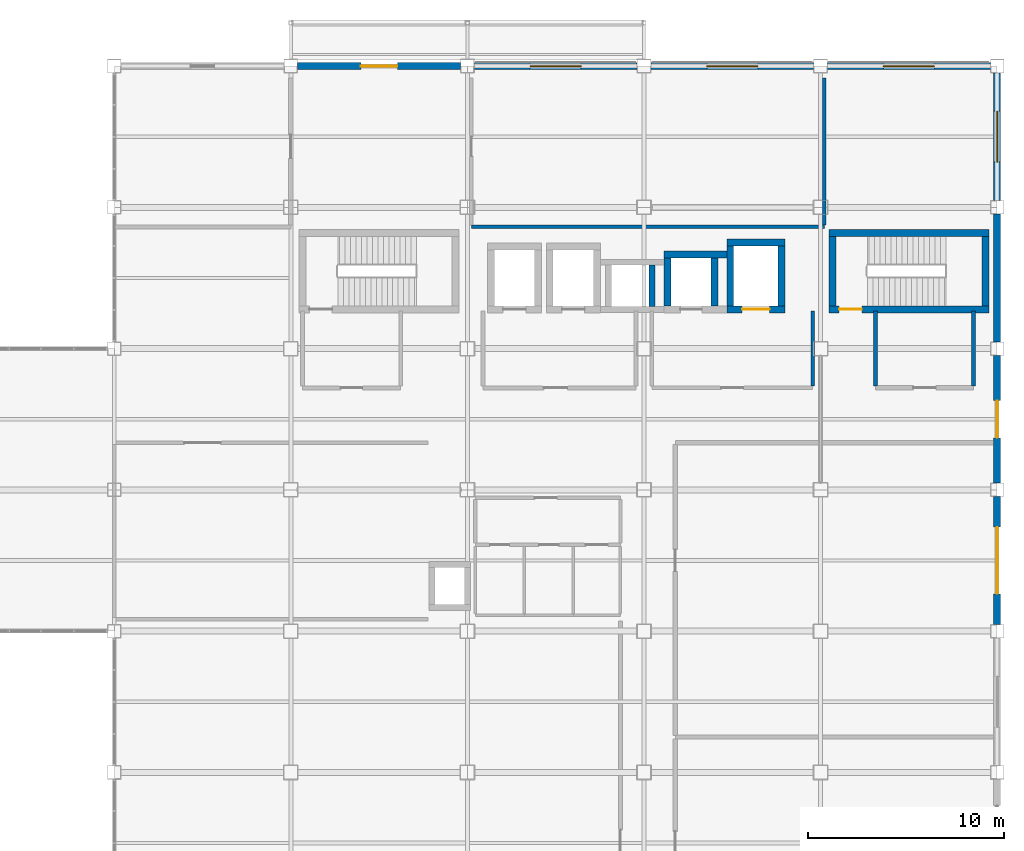
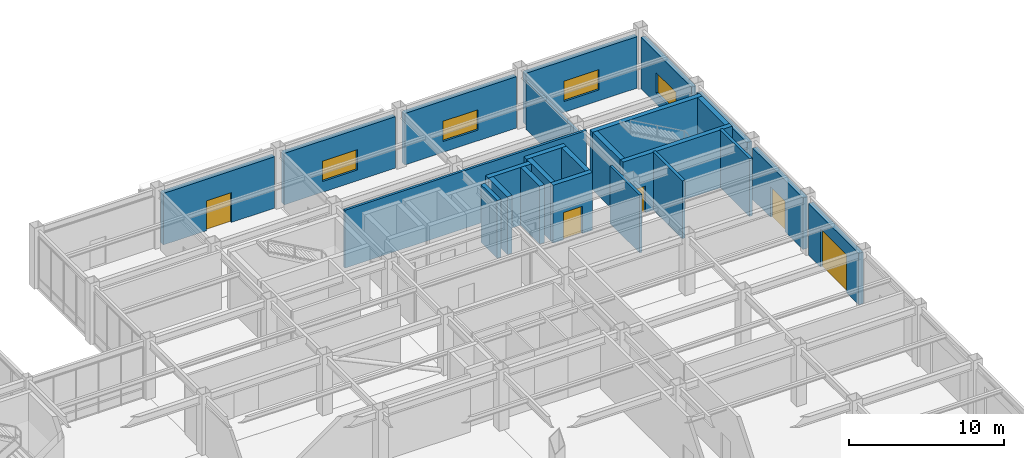
# One storey, part 95 of 112: 25 walls, 5 doors, 4 windows, 9 openings.
"""IFC4 building model written with IfcOpenShell, lengths in metres."""

from ifc_helpers import new_model, si_unit, direction, frame, frame_2d, origin, place, context, subcontext, project, spatial, rectangle, extrude, material, layer, layer_set, type_object, element, fill, save


model = new_model("IFC4")

# Units and contexts
model_context = context("Model", 3, precision=1e-05, world=origin(), true_north=direction((0.0, 1.0)))
body_context = subcontext(model_context, "Body", "Model", "MODEL_VIEW")
ifc_project = project(units=[si_unit("LENGTHUNIT", "METRE"), si_unit("AREAUNIT", "SQUARE_METRE"), si_unit("VOLUMEUNIT", "CUBIC_METRE"), si_unit("PLANEANGLEUNIT", "RADIAN"), si_unit("MASSUNIT", "GRAM", prefix="KILO")], contexts=[model_context])

# Site, building, storey
site_placement = place(None, origin())
site = spatial("IfcSite", under=ifc_project, at=site_placement, CompositionType="ELEMENT")
building_placement = place(site_placement, origin())
building = spatial("IfcBuilding", under=site, at=building_placement, Name="Kazanami Central Library", CompositionType="ELEMENT")
storey_placement = place(building_placement, origin())
storey = spatial("IfcBuildingStorey", under=building, at=storey_placement, Name="L01", CompositionType="ELEMENT", Elevation=0.0)

# Wall, opening, door
ifc_material_1 = material(Name="Concrete Fc36 (36 MPa)", Category="concrete")
ifc_layer_1 = layer(ifc_material_1, 0.27001953125, Name="Concrete Fc36 (36 MPa)")
ifc_material_2 = material(Name="Extruded Polystyrene XPS", Category="earth")
ifc_layer_2 = layer(ifc_material_2, 0.050048828125, Name="Extruded Polystyrene XPS")
ifc_material_3 = material(Name="Honed Inada Granite", Category="masonry")
ifc_layer_3 = layer(ifc_material_3, 0.030029296875, Name="Honed Inada Granite")
ifc_layer_set_1 = layer_set([ifc_layer_1, ifc_layer_2, ifc_layer_3], Name="Concrete Fc36 (36 MPa)")
wall_type_1 = type_object("IfcWallType", Name="WAL-EW-350", PredefinedType="STANDARD", material=ifc_layer_set_1)
wall_1_placement = place(storey_placement, frame((134.64990234375, 93.60009765625, 0.0), z_axis=(0.0, 0.0, 1.0), x_axis=(-1.0, 0.0, 0.0)))
wall_1 = element("IfcWall", 1, at=wall_1_placement, inside=storey, type_object=wall_type_1, Name="Exterior Facade Wall EW-350 L01 N-O-14", PredefinedType="STANDARD", context=body_context, shape_type="SweptSolid", body=[
    extrude(rectangle(XDim=8.2998046875, YDim=0.35009765625, at=frame_2d((4.14990234375, 0.0))), origin(), (0.0, 0.0, 1.0), 4.054931640625),
])
opening_1_placement = place(wall_1_placement, frame((3.22509765625, 0.0, 0.0)))
opening_1 = element("IfcOpeningElement", 2, at=opening_1_placement, cuts=wall_1, Name="Opening ED-07", PredefinedType="OPENING", context=body_context, shape_type="SweptSolid", body=[
    extrude(rectangle(XDim=1.85009765625, YDim=2.35009765625, at=frame_2d((0.925048828125, 1.175048828125))), frame((0.0, 0.18701171875, 0.0), z_axis=(0.0, -1.0, 0.0), x_axis=(1.0, 0.0, 0.0)), (0.0, 0.0, 1.0), 0.3740234375),
])
ifc_material_4 = material(Name="Anodised Aluminium A6063-T5", Category="aluminium")
door_type_1 = type_object("IfcDoorType", Name="DOR-ED-07", OperationType="DOUBLE_DOOR_SINGLE_SWING", PredefinedType="DOOR", material=ifc_material_4)
door_1_placement = place(opening_1_placement, frame((1.85009765625, 0.0, 0.0), z_axis=(0.0, 0.0, 1.0), x_axis=(-1.0, 0.0, 0.0)))
door_1 = element("IfcDoor", 3, at=door_1_placement, inside=storey, type_object=door_type_1, Name="Main Pedestrian Exit Door 15", OperationType="DOUBLE_DOOR_SINGLE_SWING", OverallHeight=2.35009765625, OverallWidth=1.85009765625, PredefinedType="DOOR", context=body_context, shape_type="SweptSolid", body=[
    extrude(rectangle(XDim=1.85009765625, YDim=2.35009765625, at=frame_2d((0.925048828125, 1.175048828125))), frame((0.0, 0.02490234375, 0.0), z_axis=(0.0, -1.0, 0.0), x_axis=(1.0, 0.0, 0.0)), (0.0, 0.0, 1.0), 0.050048828125),
])
fill(opening_1, door_1)

# Wall, opening, window
wall_2_placement = place(storey_placement, frame((143.64990234375, 93.60009765625, 0.0), z_axis=(0.0, 0.0, 1.0), x_axis=(-1.0, 0.0, 0.0)))
wall_2 = element("IfcWall", 4, at=wall_2_placement, inside=storey, type_object=wall_type_1, Name="Exterior Facade Wall EW-350 L01 N-O-15", PredefinedType="STANDARD", context=body_context, shape_type="SweptSolid", body=[
    extrude(rectangle(XDim=8.2998046875, YDim=0.35009765625, at=frame_2d((4.14990234375, 0.0))), origin(), (0.0, 0.0, 1.0), 4.054931640625),
])
opening_2_placement = place(wall_2_placement, frame((2.85009765625, 0.0, 0.85009765625)))
opening_2 = element("IfcOpeningElement", 5, at=opening_2_placement, cuts=wall_2, Name="Opening WN-13", PredefinedType="OPENING", context=body_context, shape_type="SweptSolid", body=[
    extrude(rectangle(XDim=2.60009765625, YDim=1.60009765625, at=frame_2d((1.300048828125, 0.800048828125))), frame((0.0, 0.18701171875, 0.0), z_axis=(0.0, -1.0, 0.0), x_axis=(1.0, 0.0, 0.0)), (0.0, 0.0, 1.0), 0.3740234375),
])
ifc_material_5 = material(Name="Low-E Insulated Triple Glass", Category="glass")
window_type = type_object("IfcWindowType", Name="WIN-WN-13", PartitioningType="DOUBLE_PANEL_VERTICAL", PredefinedType="WINDOW", material=ifc_material_5)
window_1_placement = place(opening_2_placement, origin())
window_1 = element("IfcWindow", 6, at=window_1_placement, inside=storey, type_object=window_type, Name="Facade Window WN-13 L01 N-O-15", OverallHeight=1.60009765625, OverallWidth=2.60009765625, PartitioningType="DOUBLE_PANEL_VERTICAL", PredefinedType="WINDOW", context=body_context, shape_type="SweptSolid", body=[
    extrude(rectangle(XDim=2.60009765625, YDim=1.60009765625, at=frame_2d((1.300048828125, 0.800048828125))), frame((0.0, 0.030029296875, 0.0), z_axis=(0.0, -1.0, 0.0), x_axis=(1.0, 0.0, 0.0)), (0.0, 0.0, 1.0), 0.06005859375),
])
fill(opening_2, window_1)

wall_3_placement = place(storey_placement, frame((152.64990234375, 93.60009765625, 0.0), z_axis=(0.0, 0.0, 1.0), x_axis=(-1.0, 0.0, 0.0)))
wall_3 = element("IfcWall", 7, at=wall_3_placement, inside=storey, type_object=wall_type_1, Name="Exterior Facade Wall EW-350 L01 N-O-16", PredefinedType="STANDARD", context=body_context, shape_type="SweptSolid", body=[
    extrude(rectangle(XDim=8.2998046875, YDim=0.35009765625, at=frame_2d((4.14990234375, 0.0))), origin(), (0.0, 0.0, 1.0), 4.054931640625),
])
opening_3_placement = place(wall_3_placement, frame((2.85009765625, 0.0, 0.85009765625)))
opening_3 = element("IfcOpeningElement", 8, at=opening_3_placement, cuts=wall_3, Name="Opening WN-13", PredefinedType="OPENING", context=body_context, shape_type="SweptSolid", body=[
    extrude(rectangle(XDim=2.60009765625, YDim=1.60009765625, at=frame_2d((1.300048828125, 0.800048828125))), frame((0.0, 0.18701171875, 0.0), z_axis=(0.0, -1.0, 0.0), x_axis=(1.0, 0.0, 0.0)), (0.0, 0.0, 1.0), 0.3740234375),
])
window_2_placement = place(opening_3_placement, origin())
window_2 = element("IfcWindow", 9, at=window_2_placement, inside=storey, type_object=window_type, Name="Facade Window WN-13 L01 N-O-16", OverallHeight=1.60009765625, OverallWidth=2.60009765625, PartitioningType="DOUBLE_PANEL_VERTICAL", PredefinedType="WINDOW", context=body_context, shape_type="SweptSolid", body=[
    extrude(rectangle(XDim=2.60009765625, YDim=1.60009765625, at=frame_2d((1.300048828125, 0.800048828125))), frame((0.0, 0.030029296875, 0.0), z_axis=(0.0, -1.0, 0.0), x_axis=(1.0, 0.0, 0.0)), (0.0, 0.0, 1.0), 0.06005859375),
])
fill(opening_3, window_2)

wall_4_placement = place(storey_placement, frame((161.64990234375, 93.60009765625, 0.0), z_axis=(0.0, 0.0, 1.0), x_axis=(-1.0, 0.0, 0.0)))
wall_4 = element("IfcWall", 10, at=wall_4_placement, inside=storey, type_object=wall_type_1, Name="Exterior Facade Wall EW-350 L01 N-O-17", PredefinedType="STANDARD", context=body_context, shape_type="SweptSolid", body=[
    extrude(rectangle(XDim=8.2998046875, YDim=0.35009765625, at=frame_2d((4.14990234375, 0.0))), origin(), (0.0, 0.0, 1.0), 4.054931640625),
])
opening_4_placement = place(wall_4_placement, frame((2.85009765625, 0.0, 0.85009765625)))
opening_4 = element("IfcOpeningElement", 11, at=opening_4_placement, cuts=wall_4, Name="Opening WN-13", PredefinedType="OPENING", context=body_context, shape_type="SweptSolid", body=[
    extrude(rectangle(XDim=2.60009765625, YDim=1.60009765625, at=frame_2d((1.300048828125, 0.800048828125))), frame((0.0, 0.18701171875, 0.0), z_axis=(0.0, -1.0, 0.0), x_axis=(1.0, 0.0, 0.0)), (0.0, 0.0, 1.0), 0.3740234375),
])
window_3_placement = place(opening_4_placement, origin())
window_3 = element("IfcWindow", 12, at=window_3_placement, inside=storey, type_object=window_type, Name="Facade Window WN-13 L01 N-O-17", OverallHeight=1.60009765625, OverallWidth=2.60009765625, PartitioningType="DOUBLE_PANEL_VERTICAL", PredefinedType="WINDOW", context=body_context, shape_type="SweptSolid", body=[
    extrude(rectangle(XDim=2.60009765625, YDim=1.60009765625, at=frame_2d((1.300048828125, 0.800048828125))), frame((0.0, 0.030029296875, 0.0), z_axis=(0.0, -1.0, 0.0), x_axis=(1.0, 0.0, 0.0)), (0.0, 0.0, 1.0), 0.06005859375),
])
fill(opening_4, window_3)

# Wall, opening, door
wall_5_placement = place(storey_placement, frame((162.0, 71.64990234375, 0.0), z_axis=(0.0, 0.0, 1.0), x_axis=(0.0, -1.0, 0.0)))
wall_5 = element("IfcWall", 13, at=wall_5_placement, inside=storey, type_object=wall_type_1, Name="Exterior Facade Wall EW-350 L01 E-19-09", PredefinedType="STANDARD", context=body_context, shape_type="SweptSolid", body=[
    extrude(rectangle(XDim=6.5, YDim=0.35009765625, at=frame_2d((3.25, 0.0))), origin(), (0.0, 0.0, 1.0), 4.054931640625),
])
opening_5_placement = place(wall_5_placement, frame((1.550048828125, 0.0, 0.0)))
opening_5 = element("IfcOpeningElement", 14, at=opening_5_placement, cuts=wall_5, Name="Opening SH-03", PredefinedType="OPENING", context=body_context, shape_type="SweptSolid", body=[
    extrude(rectangle(XDim=3.39990234375, YDim=3.0, at=frame_2d((1.699951171875, 1.5))), frame((0.0, 0.18701171875, 0.0), z_axis=(0.0, -1.0, 0.0), x_axis=(1.0, 0.0, 0.0)), (0.0, 0.0, 1.0), 0.3740234375),
])
ifc_material_6 = material(Name="Galvanised Steel SGHC", Category="steel")
door_type_2 = type_object("IfcDoorType", Name="DOR-SH-03", OperationType="ROLLINGUP", PredefinedType="GATE", material=ifc_material_6)
door_2_placement = place(opening_5_placement, origin())
door_2 = element("IfcDoor", 15, at=door_2_placement, inside=storey, type_object=door_type_2, Name="Cycle Store Service Roller Shutter 03", OperationType="ROLLINGUP", OverallHeight=3.0, OverallWidth=3.39990234375, PredefinedType="GATE", context=body_context, shape_type="SweptSolid", body=[
    extrude(rectangle(XDim=3.39990234375, YDim=3.0, at=frame_2d((1.699951171875, 1.5))), frame((0.0, 0.02490234375, 0.0), z_axis=(0.0, -1.0, 0.0), x_axis=(1.0, 0.0, 0.0)), (0.0, 0.0, 1.0), 0.050048828125),
])
fill(opening_5, door_2)

wall_6_placement = place(storey_placement, frame((162.0, 78.85009765625, 0.0), z_axis=(0.0, 0.0, 1.0), x_axis=(0.0, -1.0, 0.0)))
wall_6 = element("IfcWall", 16, at=wall_6_placement, inside=storey, type_object=wall_type_1, Name="Exterior Facade Wall EW-350 L01 E-19-10", PredefinedType="STANDARD", context=body_context, shape_type="SweptSolid", body=[
    extrude(rectangle(XDim=6.5, YDim=0.35009765625, at=frame_2d((3.25, 0.0))), origin(), (0.0, 0.0, 1.0), 4.054931640625),
])
opening_6_placement = place(wall_6_placement, frame((2.300048828125, 0.0, 0.0)))
opening_6 = element("IfcOpeningElement", 17, at=opening_6_placement, cuts=wall_6, Name="Opening ED-04", PredefinedType="OPENING", context=body_context, shape_type="SweptSolid", body=[
    extrude(rectangle(XDim=1.89990234375, YDim=2.39990234375, at=frame_2d((0.949951171875, 1.199951171875))), frame((0.0, 0.18701171875, 0.0), z_axis=(0.0, -1.0, 0.0), x_axis=(1.0, 0.0, 0.0)), (0.0, 0.0, 1.0), 0.3740234375),
])
door_type_3 = type_object("IfcDoorType", Name="DOR-ED-04", OperationType="DOUBLE_DOOR_SINGLE_SWING", PredefinedType="DOOR", material=ifc_material_4)
door_3_placement = place(opening_6_placement, origin())
door_3 = element("IfcDoor", 18, at=door_3_placement, inside=storey, type_object=door_type_3, Name="Main Pedestrian Exit Door 18", OperationType="DOUBLE_DOOR_SINGLE_SWING", OverallHeight=2.39990234375, OverallWidth=1.89990234375, PredefinedType="DOOR", context=body_context, shape_type="SweptSolid", body=[
    extrude(rectangle(XDim=1.89990234375, YDim=2.39990234375, at=frame_2d((0.949951171875, 1.199951171875))), frame((0.0, 0.02490234375, 0.0), z_axis=(0.0, -1.0, 0.0), x_axis=(1.0, 0.0, 0.0)), (0.0, 0.0, 1.0), 0.050048828125),
])
fill(opening_6, door_3)

# Wall
wall_7_placement = place(storey_placement, frame((162.0, 86.050048828125, 0.0), z_axis=(0.0, 0.0, 1.0), x_axis=(0.0, -1.0, 0.0)))
element("IfcWall", 19, at=wall_7_placement, inside=storey, type_object=wall_type_1, Name="Exterior Facade Wall EW-350 L01 E-19-11", PredefinedType="STANDARD", context=body_context, shape_type="SweptSolid", body=[
    extrude(rectangle(XDim=6.5, YDim=0.35009765625, at=frame_2d((3.25, 0.0))), origin(), (0.0, 0.0, 1.0), 4.054931640625),
])

# Wall, opening, window
wall_8_placement = place(storey_placement, frame((162.0, 93.25, 0.0), z_axis=(0.0, 0.0, 1.0), x_axis=(0.0, -1.0, 0.0)))
wall_8 = element("IfcWall", 20, at=wall_8_placement, inside=storey, type_object=wall_type_1, Name="Exterior Facade Wall EW-350 L01 E-19-12", PredefinedType="STANDARD", context=body_context, shape_type="SweptSolid", body=[
    extrude(rectangle(XDim=6.5, YDim=0.35009765625, at=frame_2d((3.25, 0.0))), origin(), (0.0, 0.0, 1.0), 4.054931640625),
])
opening_7_placement = place(wall_8_placement, frame((1.949951171875, 0.0, 0.85009765625)))
opening_7 = element("IfcOpeningElement", 21, at=opening_7_placement, cuts=wall_8, Name="Opening WN-13", PredefinedType="OPENING", context=body_context, shape_type="SweptSolid", body=[
    extrude(rectangle(XDim=2.60009765625, YDim=1.60009765625, at=frame_2d((1.300048828125, 0.800048828125))), frame((0.0, 0.18701171875, 0.0), z_axis=(0.0, -1.0, 0.0), x_axis=(1.0, 0.0, 0.0)), (0.0, 0.0, 1.0), 0.3740234375),
])
window_4_placement = place(opening_7_placement, origin())
window_4 = element("IfcWindow", 22, at=window_4_placement, inside=storey, type_object=window_type, Name="Facade Window WN-13 L01 E-19-12", OverallHeight=1.60009765625, OverallWidth=2.60009765625, PartitioningType="DOUBLE_PANEL_VERTICAL", PredefinedType="WINDOW", context=body_context, shape_type="SweptSolid", body=[
    extrude(rectangle(XDim=2.60009765625, YDim=1.60009765625, at=frame_2d((1.300048828125, 0.800048828125))), frame((0.0, 0.030029296875, 0.0), z_axis=(0.0, -1.0, 0.0), x_axis=(1.0, 0.0, 0.0)), (0.0, 0.0, 1.0), 0.06005859375),
])
fill(opening_7, window_4)

# Walls
ifc_material_7 = material(Name="Fire-Resistant Gypsum Board GB-F", Category="gypsum")
ifc_layer_4 = layer(ifc_material_7, 0.179931640625, Name="Fire-Resistant Gypsum Board GB-F")
ifc_layer_set_2 = layer_set([ifc_layer_4], Name="Fire-Resistant Gypsum Board GB-F")
wall_type_2 = type_object("IfcWallType", Name="WAL-FW-180", PredefinedType="PARTITIONING", material=ifc_layer_set_2)
wall_9_placement = place(storey_placement, frame((152.60009765625, 77.2900390625, 0.0), z_axis=(0.0, 0.0, 1.0), x_axis=(0.0, 1.0, 0.0)))
element("IfcWall", 23, at=wall_9_placement, inside=storey, type_object=wall_type_2, Name="Interior Partition FW-180 L01 LOBBY-V2 (East)", PredefinedType="PARTITIONING", context=body_context, shape_type="SweptSolid", body=[
    extrude(rectangle(XDim=3.820068359375, YDim=0.179931640625, at=frame_2d((1.91015625, 0.0))), origin(), (0.0, 0.0, 1.0), 4.554931640625),
])
wall_10_placement = place(storey_placement, frame((135.199951171875, 85.39990234375, 0.0), z_axis=(0.0, 0.0, 1.0), x_axis=(1.0, 0.0, 0.0)))
element("IfcWall", 24, at=wall_10_placement, inside=storey, type_object=wall_type_2, Name="Interior Partition FW-180 L01 RM-45 (South)", PredefinedType="PARTITIONING", context=body_context, shape_type="SweptSolid", body=[
    extrude(rectangle(XDim=18.0, YDim=0.179931640625, at=frame_2d((9.0, 0.0))), origin(), (0.0, 0.0, 1.0), 4.554931640625),
])
wall_11_placement = place(storey_placement, frame((153.199951171875, 85.489990234375, 0.0), z_axis=(0.0, 0.0, 1.0), x_axis=(0.0, 1.0, 0.0)))
element("IfcWall", 25, at=wall_11_placement, inside=storey, type_object=wall_type_2, Name="Interior Partition FW-180 L01 RM-45 (East)", PredefinedType="PARTITIONING", context=body_context, shape_type="SweptSolid", body=[
    extrude(rectangle(XDim=7.510009765625, YDim=0.179931640625, at=frame_2d((3.7548828125, 0.0))), origin(), (0.0, 0.0, 1.0), 3.8349609375),
])
ifc_layer_5 = layer(ifc_material_7, 0.219970703125, Name="Fire-Resistant Gypsum Board GB-F")
ifc_layer_set_3 = layer_set([ifc_layer_5], Name="Fire-Resistant Gypsum Board GB-F")
wall_type_3 = type_object("IfcWallType", Name="WAL-FW-220", PredefinedType="PARTITIONING", material=ifc_layer_set_3)
for number, where, z_axis, x_axis, name in (
    (26, (155.800048828125, 77.2900390625, 0.0), (0.0, 0.0, 1.0), (0.0, 1.0, 0.0), "Interior Partition FW-220 L01 VEST-ST-02 (West)"),
    (27, (160.800048828125, 77.2900390625, 0.0), (0.0, 0.0, 1.0), (0.0, 1.0, 0.0), "Interior Partition FW-220 L01 VEST-ST-02 (East)"),
):
    element("IfcWall", number, at=place(storey_placement, frame(where, z_axis=z_axis, x_axis=x_axis)), inside=storey, type_object=wall_type_3, Name=name, PredefinedType="PARTITIONING", context=body_context, shape_type="SweptSolid", body=[
        extrude(rectangle(XDim=3.820068359375, YDim=0.219970703125, at=frame_2d((1.91015625, 0.0))), origin(), (0.0, 0.0, 1.0), 4.554931640625),
    ])
ifc_layer_6 = layer(ifc_material_1, 0.300048828125, Name="Concrete Fc36 (36 MPa)")
ifc_layer_set_4 = layer_set([ifc_layer_6], Name="Concrete Fc36 (36 MPa)")
wall_type_4 = type_object("IfcWallType", Name="WAL-SW-300", PredefinedType="SHEAR", material=ifc_layer_set_4)
wall_12_placement = place(storey_placement, frame((144.39990234375, 81.35009765625, 0.0), z_axis=(0.0, 0.0, 1.0), x_axis=(0.0, 1.0, 0.0)))
element("IfcWall", 28, at=wall_12_placement, inside=storey, type_object=wall_type_4, Name="Service Riser Wall RSR-V2-A E L01", PredefinedType="SHEAR", context=body_context, shape_type="SweptSolid", body=[
    extrude(rectangle(XDim=2.099853515625, YDim=0.300048828125, at=frame_2d((1.0498046875, 0.0))), origin(), (0.0, 0.0, 1.0), 4.554931640625),
])

# Wall, opening, door
ifc_layer_7 = layer(ifc_material_1, 0.35009765625, Name="Concrete Fc36 (36 MPa)")
ifc_layer_set_5 = layer_set([ifc_layer_7], Name="Concrete Fc36 (36 MPa)")
wall_type_5 = type_object("IfcWallType", Name="WAL-SW-350", PredefinedType="SHEAR", material=ifc_layer_set_5)
wall_13_placement = place(storey_placement, frame((153.425048828125, 81.199951171875, 0.0), z_axis=(0.0, 0.0, 1.0), x_axis=(1.0, 0.0, 0.0)))
wall_13 = element("IfcWall", 29, at=wall_13_placement, inside=storey, type_object=wall_type_5, Name="Stair Core Wall ST-02 South L01", PredefinedType="SHEAR", context=body_context, shape_type="SweptSolid", body=[
    extrude(rectangle(XDim=8.14990234375, YDim=0.35009765625, at=frame_2d((4.074951171875, 0.0))), origin(), (0.0, 0.0, 1.0), 4.554931640625),
])
opening_8_placement = place(wall_13_placement, frame((0.52490234375, 0.0, 0.0)))
opening_8 = element("IfcOpeningElement", 30, at=opening_8_placement, cuts=wall_13, Name="Opening FD60-2", PredefinedType="OPENING", context=body_context, shape_type="SweptSolid", body=[
    extrude(rectangle(XDim=1.14990234375, YDim=2.10009765625, at=frame_2d((0.574951171875, 1.050048828125))), frame((0.0, 0.18701171875, 0.0), z_axis=(0.0, -1.0, 0.0), x_axis=(1.0, 0.0, 0.0)), (0.0, 0.0, 1.0), 0.3740234375),
])
ifc_material_8 = material(Name="Cold-Rolled Steel SPCC", Category="steel")
door_type_4 = type_object("IfcDoorType", Name="DOR-FD60-2", OperationType="NOTDEFINED", PredefinedType="DOOR", material=ifc_material_8)
door_4_placement = place(opening_8_placement, frame((1.14990234375, 0.0, 0.0), z_axis=(0.0, 0.0, 1.0), x_axis=(-1.0, 0.0, 0.0)))
door_4 = element("IfcDoor", 31, at=door_4_placement, inside=storey, type_object=door_type_4, Name="Escape Stair ST-02 Fire Door L01", OperationType="SINGLE_SWING_RIGHT", OverallHeight=2.10009765625, OverallWidth=1.14990234375, PredefinedType="DOOR", context=body_context, shape_type="SweptSolid", body=[
    extrude(rectangle(XDim=1.14990234375, YDim=2.10009765625, at=frame_2d((0.574951171875, 1.050048828125))), frame((0.0, 0.02490234375, 0.0), z_axis=(0.0, -1.0, 0.0), x_axis=(1.0, 0.0, 0.0)), (0.0, 0.0, 1.0), 0.050048828125),
])
fill(opening_8, door_4)

# Walls
wall_14_placement = place(storey_placement, frame((153.425048828125, 85.10009765625, 0.0), z_axis=(0.0, 0.0, 1.0), x_axis=(1.0, 0.0, 0.0)))
element("IfcWall", 32, at=wall_14_placement, inside=storey, type_object=wall_type_5, Name="Stair Core Wall ST-02 North L01", PredefinedType="SHEAR", context=body_context, shape_type="SweptSolid", body=[
    extrude(rectangle(XDim=8.14990234375, YDim=0.35009765625, at=frame_2d((4.074951171875, 0.0))), origin(), (0.0, 0.0, 1.0), 4.554931640625),
])
for number, where, z_axis, x_axis, name in (
    (33, (153.60009765625, 81.375, 0.0), (0.0, 0.0, 1.0), (0.0, 1.0, 0.0), "Stair Core Wall ST-02 West L01"),
    (34, (161.39990234375, 81.375, 0.0), (0.0, 0.0, 1.0), (0.0, 1.0, 0.0), "Stair Core Wall ST-02 East L01"),
):
    element("IfcWall", number, at=place(storey_placement, frame(where, z_axis=z_axis, x_axis=x_axis)), inside=storey, type_object=wall_type_5, Name=name, PredefinedType="SHEAR", context=body_context, shape_type="SweptSolid", body=[
        extrude(rectangle(XDim=3.550048828125, YDim=0.35009765625, at=frame_2d((1.77490234375, 0.0))), origin(), (0.0, 0.0, 1.0), 4.554931640625),
    ])
wall_15_placement = place(storey_placement, frame((145.02490234375, 84.0, 0.0), z_axis=(0.0, 0.0, 1.0), x_axis=(1.0, 0.0, 0.0)))
element("IfcWall", 35, at=wall_15_placement, inside=storey, type_object=wall_type_5, Name="Lift Shaft Wall EL-P1 North L01", PredefinedType="SHEAR", context=body_context, shape_type="SweptSolid", body=[
    extrude(rectangle(XDim=3.2001953125, YDim=0.35009765625, at=frame_2d((1.60009765625, 0.0))), origin(), (0.0, 0.0, 1.0), 4.554931640625),
])
for number, where, z_axis, x_axis, name in (
    (36, (145.199951171875, 81.375, 0.0), (0.0, 0.0, 1.0), (0.0, 1.0, 0.0), "Lift Shaft Wall EL-P1 West L01"),
    (37, (147.60009765625, 81.375, 0.0), (0.0, 0.0, 1.0), (0.0, 1.0, 0.0), "Lift Shaft Wall EL-P1 East L01"),
):
    element("IfcWall", number, at=place(storey_placement, frame(where, z_axis=z_axis, x_axis=x_axis)), inside=storey, type_object=wall_type_5, Name=name, PredefinedType="SHEAR", context=body_context, shape_type="SweptSolid", body=[
        extrude(rectangle(XDim=2.449951171875, YDim=0.35009765625, at=frame_2d((1.22509765625, 0.0))), origin(), (0.0, 0.0, 1.0), 4.554931640625),
    ])

# Wall, opening, door
wall_16_placement = place(storey_placement, frame((148.22509765625, 81.199951171875, 0.0), z_axis=(0.0, 0.0, 1.0), x_axis=(1.0, 0.0, 0.0)))
wall_16 = element("IfcWall", 38, at=wall_16_placement, inside=storey, type_object=wall_type_5, Name="Lift Shaft Wall EL-S1 South L01", PredefinedType="SHEAR", context=body_context, shape_type="SweptSolid", body=[
    extrude(rectangle(XDim=2.949951171875, YDim=0.35009765625, at=frame_2d((1.47509765625, 0.0))), origin(), (0.0, 0.0, 1.0), 4.554931640625),
])
opening_9_placement = place(wall_16_placement, frame((0.77490234375, 0.0, 0.0)))
opening_9 = element("IfcOpeningElement", 39, at=opening_9_placement, cuts=wall_16, Name="Opening LD-03", PredefinedType="OPENING", context=body_context, shape_type="SweptSolid", body=[
    extrude(rectangle(XDim=1.39990234375, YDim=2.14990234375, at=frame_2d((0.699951171875, 1.074951171875))), frame((0.0, 0.18701171875, 0.0), z_axis=(0.0, -1.0, 0.0), x_axis=(1.0, 0.0, 0.0)), (0.0, 0.0, 1.0), 0.3740234375),
])
ifc_material_9 = material(Name="Stainless Steel SUS304", Category="steel")
door_type_5 = type_object("IfcDoorType", Name="DOR-LD-03", OperationType="SLIDING_TO_LEFT", PredefinedType="DOOR", material=ifc_material_9)
door_5_placement = place(opening_9_placement, origin())
door_5 = element("IfcDoor", 40, at=door_5_placement, inside=storey, type_object=door_type_5, Name="Lift Landing Sliding Door EL-S1 (L01)", OperationType="SLIDING_TO_LEFT", OverallHeight=2.14990234375, OverallWidth=1.39990234375, PredefinedType="DOOR", context=body_context, shape_type="SweptSolid", body=[
    extrude(rectangle(XDim=1.39990234375, YDim=2.14990234375, at=frame_2d((0.699951171875, 1.074951171875))), frame((0.0, 0.02490234375, 0.0), z_axis=(0.0, -1.0, 0.0), x_axis=(1.0, 0.0, 0.0)), (0.0, 0.0, 1.0), 0.050048828125),
])
fill(opening_9, door_5)

# Walls
wall_17_placement = place(storey_placement, frame((148.22509765625, 84.60009765625, 0.0), z_axis=(0.0, 0.0, 1.0), x_axis=(1.0, 0.0, 0.0)))
element("IfcWall", 41, at=wall_17_placement, inside=storey, type_object=wall_type_5, Name="Lift Shaft Wall EL-S1 North L01", PredefinedType="SHEAR", context=body_context, shape_type="SweptSolid", body=[
    extrude(rectangle(XDim=2.949951171875, YDim=0.35009765625, at=frame_2d((1.47509765625, 0.0))), origin(), (0.0, 0.0, 1.0), 4.554931640625),
])
for number, where, z_axis, x_axis, name in (
    (42, (148.39990234375, 81.375, 0.0), (0.0, 0.0, 1.0), (0.0, 1.0, 0.0), "Lift Shaft Wall EL-S1 West L01"),
    (43, (151.0, 81.375, 0.0), (0.0, 0.0, 1.0), (0.0, 1.0, 0.0), "Lift Shaft Wall EL-S1 East L01"),
):
    element("IfcWall", number, at=place(storey_placement, frame(where, z_axis=z_axis, x_axis=x_axis)), inside=storey, type_object=wall_type_5, Name=name, PredefinedType="SHEAR", context=body_context, shape_type="SweptSolid", body=[
        extrude(rectangle(XDim=3.050048828125, YDim=0.35009765625, at=frame_2d((1.52490234375, 0.0))), origin(), (0.0, 0.0, 1.0), 4.554931640625),
    ])

save(model, "model.ifc")
